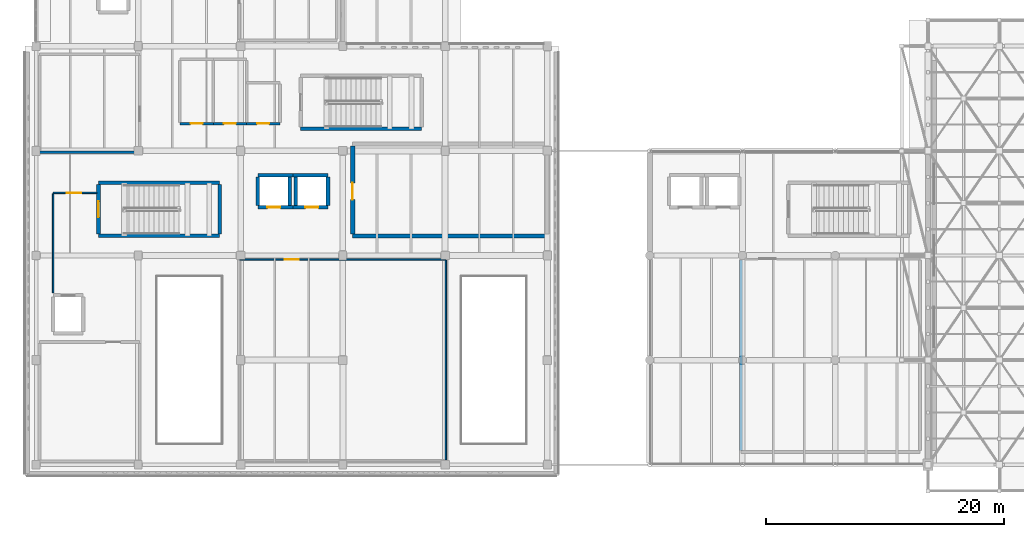
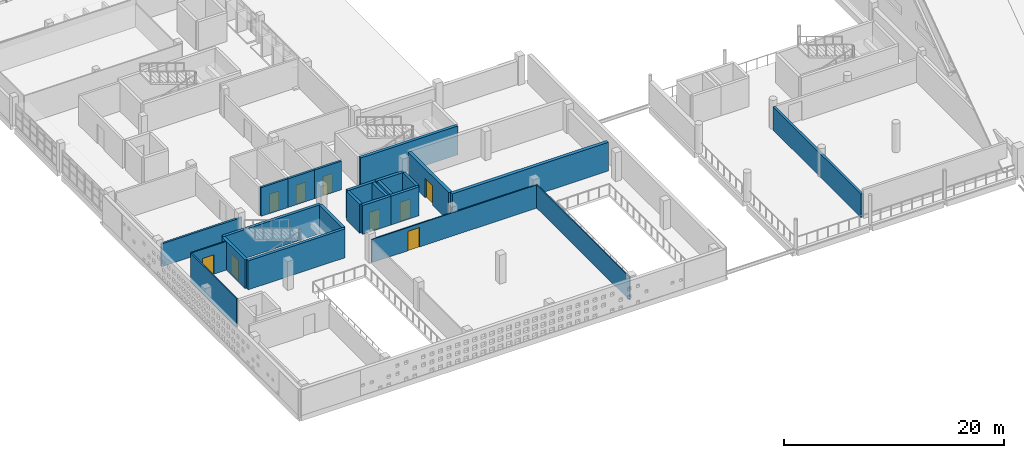
# One storey, part 41 of 55: 24 walls, 9 doors, 9 openings.
"""IFC4 building model written with IfcOpenShell, lengths in metres."""

from ifc_helpers import new_model, si_unit, direction, frame, frame_2d, origin, place, context, subcontext, project, spatial, rectangle, extrude, material, layer, layer_set, type_object, element, fill, save


model = new_model("IFC4")

# Units and contexts
model_context = context("Model", 3, precision=1e-05, world=origin(), true_north=direction((0.0, 1.0)))
body_context = subcontext(model_context, "Body", "Model", "MODEL_VIEW")
ifc_project = project(units=[si_unit("LENGTHUNIT", "METRE"), si_unit("AREAUNIT", "SQUARE_METRE"), si_unit("VOLUMEUNIT", "CUBIC_METRE"), si_unit("PLANEANGLEUNIT", "RADIAN"), si_unit("MASSUNIT", "GRAM", prefix="KILO")], contexts=[model_context])

# Site, building, storey
site_placement = place(None, origin())
site = spatial("IfcSite", under=ifc_project, at=site_placement, CompositionType="ELEMENT")
building_placement = place(site_placement, origin())
building = spatial("IfcBuilding", under=site, at=building_placement, Name="Varnakota Cinema and Media Centre", CompositionType="ELEMENT")
storey_placement = place(building_placement, frame((0.0, 0.0, 15.60009765625)))
storey = spatial("IfcBuildingStorey", under=building, at=storey_placement, Name="L04", CompositionType="ELEMENT", Elevation=15.60009765625)

# Walls
ifc_material_1 = material(Name="Autoclaved aerated concrete blockwork", Category="masonry")
ifc_layer_1 = layer(ifc_material_1, 0.2099609375)
ifc_layer_set_1 = layer_set([ifc_layer_1], Name="Autoclaved aerated concrete blockwork")
wall_type_1 = type_object("IfcWallType", Name="W-ACOUST-210", PredefinedType="PARTITIONING", material=ifc_layer_set_1)
wall_1_placement = place(storey_placement, frame((8.705078125, 26.294921875, 0.0), z_axis=(0.0, 0.0, 1.0), x_axis=(-1.0, 0.0, 0.0)))
element("IfcWall", 1, at=wall_1_placement, inside=storey, type_object=wall_type_1, Name="L04 RWALL-RM-L04-READ4 S wall", PredefinedType="PARTITIONING", context=body_context, shape_type="SweptSolid", body=[
    extrude(rectangle(XDim=8.41015625, YDim=0.2099609375, at=frame_2d((4.205078125, 0.0))), origin(), (0.0, 0.0, 1.0), 2.52978515625),
])
ifc_material_2 = material(Name="Concrete M40", Category="concrete")
ifc_layer_2 = layer(ifc_material_2, 0.300048828125)
ifc_layer_set_2 = layer_set([ifc_layer_2], Name="Concrete M40")
wall_type_2 = type_object("IfcWallType", Name="W-CORE-300", PredefinedType="SHEAR", material=ifc_layer_set_2)
wall_2_placement = place(storey_placement, frame((15.429931640625, 19.25, 0.0), z_axis=(0.0, 0.0, 1.0), x_axis=(-1.0, 0.0, 0.0)))
element("IfcWall", 2, at=wall_2_placement, inside=storey, type_object=wall_type_2, Name="L04 CWALL-ST-01-L04 S wall", PredefinedType="SHEAR", context=body_context, shape_type="SweptSolid", body=[
    extrude(rectangle(XDim=10.179931640625, YDim=0.300048828125, at=frame_2d((5.08984375, 0.0))), origin(), (0.0, 0.0, 1.0), 3.199951171875),
])

# Wall, opening, door
wall_3_placement = place(storey_placement, frame((5.25, 19.39990234375, 0.0), z_axis=(0.0, 0.0, 1.0), x_axis=(0.0, 1.0, 0.0)))
wall_3 = element("IfcWall", 3, at=wall_3_placement, inside=storey, type_object=wall_type_2, Name="L04 CWALL-ST-01-L04 W wall", PredefinedType="SHEAR", context=body_context, shape_type="SweptSolid", body=[
    extrude(rectangle(XDim=4.150146484375, YDim=0.300048828125, at=frame_2d((2.0751953125, 0.0))), origin(), (0.0, 0.0, 1.0), 3.199951171875),
])
opening_1_placement = place(wall_3_placement, frame((1.39990234375, 0.0, 0.0)))
opening_1 = element("IfcOpeningElement", 4, at=opening_1_placement, cuts=wall_3, Name="Opening SD-01", PredefinedType="OPENING", context=body_context, shape_type="SweptSolid", body=[
    extrude(rectangle(XDim=1.35009765625, YDim=2.199951171875, at=frame_2d((0.675048828125, 1.10009765625))), frame((0.0, 0.14990234375, 0.0), z_axis=(0.0, -1.0, 0.0), x_axis=(1.0, 0.0, 0.0)), (0.0, 0.0, 1.0), 0.300048828125),
])
ifc_material_3 = material(Name="Thermally broken anodised aluminium AW-6063", Category="aluminium")
door_type_1 = type_object("IfcDoorType", Name="DR-STAIR-1350x2200", OperationType="NOTDEFINED", PredefinedType="DOOR", material=ifc_material_3)
door_1_placement = place(opening_1_placement, origin())
door_1 = element("IfcDoor", 5, at=door_1_placement, inside=storey, type_object=door_type_1, Name="L04 door SD-01", OperationType="SINGLE_SWING_LEFT", OverallHeight=2.199951171875, OverallWidth=1.35009765625, PredefinedType="DOOR", context=body_context, shape_type="SweptSolid", body=[
    extrude(rectangle(XDim=1.35009765625, YDim=2.199951171875, at=frame_2d((0.675048828125, 1.10009765625))), frame((0.0, 0.02490234375, 0.0), z_axis=(0.0, -1.0, 0.0), x_axis=(1.0, 0.0, 0.0)), (0.0, 0.0, 1.0), 0.050048828125),
])
fill(opening_1, door_1)

# Walls
wall_4_placement = place(storey_placement, frame((5.25, 23.699951171875, 0.0), z_axis=(0.0, 0.0, 1.0), x_axis=(1.0, 0.0, 0.0)))
element("IfcWall", 6, at=wall_4_placement, inside=storey, type_object=wall_type_2, Name="L04 CWALL-ST-01-L04 N wall", PredefinedType="SHEAR", context=body_context, shape_type="SweptSolid", body=[
    extrude(rectangle(XDim=10.179931640625, YDim=0.300048828125, at=frame_2d((5.08984375, 0.0))), origin(), (0.0, 0.0, 1.0), 3.199951171875),
])
wall_5_placement = place(storey_placement, frame((15.429931640625, 23.550048828125, 0.0), z_axis=(0.0, 0.0, 1.0), x_axis=(0.0, -1.0, 0.0)))
element("IfcWall", 7, at=wall_5_placement, inside=storey, type_object=wall_type_2, Name="L04 CWALL-ST-01-L04 E wall", PredefinedType="SHEAR", context=body_context, shape_type="SweptSolid", body=[
    extrude(rectangle(XDim=4.150146484375, YDim=0.300048828125, at=frame_2d((2.0751953125, 0.0))), origin(), (0.0, 0.0, 1.0), 3.199951171875),
])
wall_6_placement = place(storey_placement, frame((32.429931640625, 28.25, 0.0), z_axis=(0.0, 0.0, 1.0), x_axis=(-1.0, 0.0, 0.0)))
element("IfcWall", 8, at=wall_6_placement, inside=storey, type_object=wall_type_2, Name="L04 CWALL-ST-02-L04 S wall", PredefinedType="SHEAR", context=body_context, shape_type="SweptSolid", body=[
    extrude(rectangle(XDim=10.179931640625, YDim=0.300048828125, at=frame_2d((5.08984375, 0.0))), origin(), (0.0, 0.0, 1.0), 3.199951171875),
])

# Wall, opening, door
wall_7_placement = place(storey_placement, frame((21.60009765625, 21.64990234375, 0.0), z_axis=(0.0, 0.0, 1.0), x_axis=(-1.0, 0.0, 0.0)))
wall_7 = element("IfcWall", 9, at=wall_7_placement, inside=storey, type_object=wall_type_2, Name="L04 LSHAFT-LF-03-L04 S wall", PredefinedType="SHEAR", context=body_context, shape_type="SweptSolid", body=[
    extrude(rectangle(XDim=2.9501953125, YDim=0.300048828125, at=frame_2d((1.47509765625, 0.0))), origin(), (0.0, 0.0, 1.0), 3.199951171875),
])
opening_2_placement = place(wall_7_placement, frame((1.050048828125, 0.0, 0.0)))
opening_2 = element("IfcOpeningElement", 10, at=opening_2_placement, cuts=wall_7, Name="Opening LD-03", PredefinedType="OPENING", context=body_context, shape_type="SweptSolid", body=[
    extrude(rectangle(XDim=1.10009765625, YDim=2.10009765625, at=frame_2d((0.550048828125, 1.050048828125))), frame((0.0, 0.14990234375, 0.0), z_axis=(0.0, -1.0, 0.0), x_axis=(1.0, 0.0, 0.0)), (0.0, 0.0, 1.0), 0.300048828125),
])
ifc_material_4 = material(Name="Thermally broken anodised aluminium AW-6063", Category="aluminium")
door_type_2 = type_object("IfcDoorType", Name="DR-LIFT-1100x2100", OperationType="SLIDING_TO_LEFT", PredefinedType="DOOR", material=ifc_material_4)
door_2_placement = place(opening_2_placement, origin())
door_2 = element("IfcDoor", 11, at=door_2_placement, inside=storey, type_object=door_type_2, Name="L04 door LD-03", OperationType="SLIDING_TO_LEFT", OverallHeight=2.10009765625, OverallWidth=1.10009765625, PredefinedType="DOOR", context=body_context, shape_type="SweptSolid", body=[
    extrude(rectangle(XDim=1.10009765625, YDim=2.10009765625, at=frame_2d((0.550048828125, 1.050048828125))), frame((0.0, 0.02490234375, 0.0), z_axis=(0.0, -1.0, 0.0), x_axis=(1.0, 0.0, 0.0)), (0.0, 0.0, 1.0), 0.050048828125),
])
fill(opening_2, door_2)

# Walls
wall_8_placement = place(storey_placement, frame((18.64990234375, 21.800048828125, 0.0), z_axis=(0.0, 0.0, 1.0), x_axis=(0.0, 1.0, 0.0)))
element("IfcWall", 12, at=wall_8_placement, inside=storey, type_object=wall_type_2, Name="L04 LSHAFT-LF-03-L04 W wall", PredefinedType="SHEAR", context=body_context, shape_type="SweptSolid", body=[
    extrude(rectangle(XDim=2.39990234375, YDim=0.300048828125, at=frame_2d((1.199951171875, 0.0))), origin(), (0.0, 0.0, 1.0), 3.199951171875),
])
wall_9_placement = place(storey_placement, frame((18.64990234375, 24.35009765625, 0.0), z_axis=(0.0, 0.0, 1.0), x_axis=(1.0, 0.0, 0.0)))
element("IfcWall", 13, at=wall_9_placement, inside=storey, type_object=wall_type_2, Name="L04 LSHAFT-LF-03-L04 N wall", PredefinedType="SHEAR", context=body_context, shape_type="SweptSolid", body=[
    extrude(rectangle(XDim=2.9501953125, YDim=0.300048828125, at=frame_2d((1.47509765625, 0.0))), origin(), (0.0, 0.0, 1.0), 3.199951171875),
])
wall_10_placement = place(storey_placement, frame((21.35009765625, 24.199951171875, 0.0), z_axis=(0.0, 0.0, 1.0), x_axis=(0.0, -1.0, 0.0)))
element("IfcWall", 14, at=wall_10_placement, inside=storey, type_object=wall_type_2, Name="L04 LSHAFT-LF-03-L04 E wall", PredefinedType="SHEAR", context=body_context, shape_type="SweptSolid", body=[
    extrude(rectangle(XDim=2.39990234375, YDim=0.300048828125, at=frame_2d((1.199951171875, 0.0))), origin(), (0.0, 0.0, 1.0), 3.199951171875),
])

# Wall, opening, door
wall_11_placement = place(storey_placement, frame((24.550048828125, 21.64990234375, 0.0), z_axis=(0.0, 0.0, 1.0), x_axis=(-1.0, 0.0, 0.0)))
wall_11 = element("IfcWall", 15, at=wall_11_placement, inside=storey, type_object=wall_type_2, Name="L04 LSHAFT-LF-04-L04 S wall", PredefinedType="SHEAR", context=body_context, shape_type="SweptSolid", body=[
    extrude(rectangle(XDim=2.949951171875, YDim=0.300048828125, at=frame_2d((1.47509765625, 0.0))), origin(), (0.0, 0.0, 1.0), 3.199951171875),
])
opening_3_placement = place(wall_11_placement, frame((0.800048828125, 0.0, 0.0)))
opening_3 = element("IfcOpeningElement", 16, at=opening_3_placement, cuts=wall_11, Name="Opening LD-04", PredefinedType="OPENING", context=body_context, shape_type="SweptSolid", body=[
    extrude(rectangle(XDim=1.10009765625, YDim=2.10009765625, at=frame_2d((0.550048828125, 1.050048828125))), frame((0.0, 0.14990234375, 0.0), z_axis=(0.0, -1.0, 0.0), x_axis=(1.0, 0.0, 0.0)), (0.0, 0.0, 1.0), 0.300048828125),
])
door_3_placement = place(opening_3_placement, origin())
door_3 = element("IfcDoor", 17, at=door_3_placement, inside=storey, type_object=door_type_2, Name="L04 door LD-04", OperationType="SLIDING_TO_LEFT", OverallHeight=2.10009765625, OverallWidth=1.10009765625, PredefinedType="DOOR", context=body_context, shape_type="SweptSolid", body=[
    extrude(rectangle(XDim=1.10009765625, YDim=2.10009765625, at=frame_2d((0.550048828125, 1.050048828125))), frame((0.0, 0.02490234375, 0.0), z_axis=(0.0, -1.0, 0.0), x_axis=(1.0, 0.0, 0.0)), (0.0, 0.0, 1.0), 0.050048828125),
])
fill(opening_3, door_3)

# Walls
wall_12_placement = place(storey_placement, frame((21.85009765625, 21.800048828125, 0.0), z_axis=(0.0, 0.0, 1.0), x_axis=(0.0, 1.0, 0.0)))
element("IfcWall", 18, at=wall_12_placement, inside=storey, type_object=wall_type_2, Name="L04 LSHAFT-LF-04-L04 W wall", PredefinedType="SHEAR", context=body_context, shape_type="SweptSolid", body=[
    extrude(rectangle(XDim=2.39990234375, YDim=0.300048828125, at=frame_2d((1.199951171875, 0.0))), origin(), (0.0, 0.0, 1.0), 3.199951171875),
])
wall_13_placement = place(storey_placement, frame((21.60009765625, 24.35009765625, 0.0), z_axis=(0.0, 0.0, 1.0), x_axis=(1.0, 0.0, 0.0)))
element("IfcWall", 19, at=wall_13_placement, inside=storey, type_object=wall_type_2, Name="L04 LSHAFT-LF-04-L04 N wall", PredefinedType="SHEAR", context=body_context, shape_type="SweptSolid", body=[
    extrude(rectangle(XDim=2.949951171875, YDim=0.300048828125, at=frame_2d((1.47509765625, 0.0))), origin(), (0.0, 0.0, 1.0), 3.199951171875),
])
wall_14_placement = place(storey_placement, frame((24.550048828125, 24.199951171875, 0.0), z_axis=(0.0, 0.0, 1.0), x_axis=(0.0, -1.0, 0.0)))
element("IfcWall", 20, at=wall_14_placement, inside=storey, type_object=wall_type_2, Name="L04 LSHAFT-LF-04-L04 E wall", PredefinedType="SHEAR", context=body_context, shape_type="SweptSolid", body=[
    extrude(rectangle(XDim=2.39990234375, YDim=0.300048828125, at=frame_2d((1.199951171875, 0.0))), origin(), (0.0, 0.0, 1.0), 3.199951171875),
])
ifc_material_5 = material(Name="Autoclaved aerated concrete blockwork", Category="masonry")
ifc_layer_3 = layer(ifc_material_5, 0.25)
ifc_layer_set_3 = layer_set([ifc_layer_3], Name="Autoclaved aerated concrete blockwork")
wall_type_3 = type_object("IfcWallType", Name="W-FIRE-250", PredefinedType="SOLIDWALL", material=ifc_layer_set_3)
wall_15_placement = place(storey_placement, frame((59.27490234375, 1.199951171875, 0.0), z_axis=(0.0, 0.0, 1.0), x_axis=(0.0, 1.0, 0.0)))
element("IfcWall", 21, at=wall_15_placement, inside=storey, type_object=wall_type_3, Name="L04 RWALL-RM-L04-ARCH1 W wall", PredefinedType="SOLIDWALL", context=body_context, shape_type="SweptSolid", body=[
    extrude(rectangle(XDim=16.0, YDim=0.25, at=frame_2d((8.0, 0.0))), origin(), (0.0, 0.0, 1.0), 2.579833984375),
])
ifc_material_6 = material(Name="Autoclaved aerated concrete blockwork", Category="masonry")
ifc_layer_4 = layer(ifc_material_6, 0.1298828125)
ifc_layer_set_4 = layer_set([ifc_layer_4], Name="Autoclaved aerated concrete blockwork")
wall_type_4 = type_object("IfcWallType", Name="W-PART-130", PredefinedType="PARTITIONING", material=ifc_layer_set_4)
wall_16_placement = place(storey_placement, frame((1.43505859375, 14.449951171875, 0.0), z_axis=(0.0, 0.0, 1.0), x_axis=(0.0, 1.0, 0.0)))
element("IfcWall", 22, at=wall_16_placement, inside=storey, type_object=wall_type_4, Name="L04 RWALL-RM-L04-FF-1 W wall", PredefinedType="PARTITIONING", context=body_context, shape_type="SweptSolid", body=[
    extrude(rectangle(XDim=8.35009765625, YDim=0.1298828125, at=frame_2d((4.175048828125, 0.0))), origin(), (0.0, 0.0, 1.0), 3.179931640625),
])

# Wall, opening, door
wall_17_placement = place(storey_placement, frame((1.43505859375, 22.864990234375, 0.0), z_axis=(0.0, 0.0, 1.0), x_axis=(1.0, 0.0, 0.0)))
wall_17 = element("IfcWall", 23, at=wall_17_placement, inside=storey, type_object=wall_type_4, Name="L04 RWALL-RM-L04-FF-1 N wall", PredefinedType="PARTITIONING", context=body_context, shape_type="SweptSolid", body=[
    extrude(rectangle(XDim=3.679931640625, YDim=0.1298828125, at=frame_2d((1.83984375, 0.0))), origin(), (0.0, 0.0, 1.0), 3.179931640625),
])
opening_4_placement = place(wall_17_placement, frame((1.1650390625, 0.0, 0.0)))
opening_4 = element("IfcOpeningElement", 24, at=opening_4_placement, cuts=wall_17, Name="Opening D-006", PredefinedType="OPENING", context=body_context, shape_type="SweptSolid", body=[
    extrude(rectangle(XDim=1.199951171875, YDim=2.14990234375, at=frame_2d((0.60009765625, 1.074951171875))), frame((0.0, 0.06494140625, 0.0), z_axis=(0.0, -1.0, 0.0), x_axis=(1.0, 0.0, 0.0)), (0.0, 0.0, 1.0), 0.1298828125),
])
ifc_material_7 = material(Name="Thermally broken anodised aluminium AW-6063", Category="aluminium")
door_type_3 = type_object("IfcDoorType", Name="DR-STD-1200x2150", OperationType="NOTDEFINED", PredefinedType="DOOR", material=ifc_material_7)
door_4_placement = place(opening_4_placement, origin())
door_4 = element("IfcDoor", 25, at=door_4_placement, inside=storey, type_object=door_type_3, Name="L04 door D-006", OperationType="SINGLE_SWING_RIGHT", OverallHeight=2.14990234375, OverallWidth=1.199951171875, PredefinedType="DOOR", context=body_context, shape_type="SweptSolid", body=[
    extrude(rectangle(XDim=1.199951171875, YDim=2.14990234375, at=frame_2d((0.60009765625, 1.074951171875))), frame((0.0, 0.02490234375, 0.0), z_axis=(0.0, -1.0, 0.0), x_axis=(1.0, 0.0, 0.0)), (0.0, 0.0, 1.0), 0.050048828125),
])
fill(opening_4, door_4)

wall_18_placement = place(storey_placement, frame((17.135009765625, 17.264892578125, 0.0), z_axis=(0.0, 0.0, 1.0), x_axis=(1.0, 0.0, 0.0)))
wall_18 = element("IfcWall", 26, at=wall_18_placement, inside=storey, type_object=wall_type_4, Name="L04 RWALL-RM-L04-PROJ45 N wall", PredefinedType="PARTITIONING", context=body_context, shape_type="SweptSolid", body=[
    extrude(rectangle(XDim=17.330078125, YDim=0.1298828125, at=frame_2d((8.6650390625, 0.0))), origin(), (0.0, 0.0, 1.0), 2.579833984375),
])
opening_5_placement = place(wall_18_placement, frame((3.764892578125, 0.0, 0.0)))
opening_5 = element("IfcOpeningElement", 27, at=opening_5_placement, cuts=wall_18, Name="Opening D-097", PredefinedType="OPENING", context=body_context, shape_type="SweptSolid", body=[
    extrude(rectangle(XDim=1.199951171875, YDim=2.14990234375, at=frame_2d((0.60009765625, 1.074951171875))), frame((0.0, 0.06494140625, 0.0), z_axis=(0.0, -1.0, 0.0), x_axis=(1.0, 0.0, 0.0)), (0.0, 0.0, 1.0), 0.1298828125),
])
door_5_placement = place(opening_5_placement, origin())
door_5 = element("IfcDoor", 28, at=door_5_placement, inside=storey, type_object=door_type_3, Name="L04 door D-097", OperationType="SINGLE_SWING_LEFT", OverallHeight=2.14990234375, OverallWidth=1.199951171875, PredefinedType="DOOR", context=body_context, shape_type="SweptSolid", body=[
    extrude(rectangle(XDim=1.199951171875, YDim=2.14990234375, at=frame_2d((0.60009765625, 1.074951171875))), frame((0.0, 0.02490234375, 0.0), z_axis=(0.0, -1.0, 0.0), x_axis=(1.0, 0.0, 0.0)), (0.0, 0.0, 1.0), 0.050048828125),
])
fill(opening_5, door_5)

# Wall
wall_19_placement = place(storey_placement, frame((34.465087890625, 17.199951171875, 0.0), z_axis=(0.0, 0.0, 1.0), x_axis=(0.0, -1.0, 0.0)))
element("IfcWall", 29, at=wall_19_placement, inside=storey, type_object=wall_type_4, Name="L04 RWALL-RM-L04-PROJ45 E wall", PredefinedType="PARTITIONING", context=body_context, shape_type="SweptSolid", body=[
    extrude(rectangle(XDim=16.800048828125, YDim=0.1298828125, at=frame_2d((8.39990234375, 0.0))), origin(), (0.0, 0.0, 1.0), 2.579833984375),
])

# Wall, opening, door
ifc_material_8 = material(Name="Autoclaved aerated concrete blockwork", Category="masonry")
ifc_layer_5 = layer(ifc_material_8, 0.219970703125)
ifc_layer_set_5 = layer_set([ifc_layer_5], Name="Autoclaved aerated concrete blockwork")
wall_type_5 = type_object("IfcWallType", Name="W-PLUMB-220", PredefinedType="PLUMBINGWALL", material=ifc_layer_set_5)
wall_20_placement = place(storey_placement, frame((14.909912109375, 28.68994140625, 0.0), z_axis=(0.0, 0.0, 1.0), x_axis=(-1.0, 0.0, 0.0)))
wall_20 = element("IfcWall", 30, at=wall_20_placement, inside=storey, type_object=wall_type_5, Name="L04 RWALL-RM-L04-WCM S wall", PredefinedType="PLUMBINGWALL", context=body_context, shape_type="SweptSolid", body=[
    extrude(rectangle(XDim=2.81982421875, YDim=0.219970703125, at=frame_2d((1.409912109375, 0.0))), origin(), (0.0, 0.0, 1.0), 3.179931640625),
])
opening_6_placement = place(wall_20_placement, frame((0.909912109375, 0.0, 0.0)))
opening_6 = element("IfcOpeningElement", 31, at=opening_6_placement, cuts=wall_20, Name="Opening D-029", PredefinedType="OPENING", context=body_context, shape_type="SweptSolid", body=[
    extrude(rectangle(XDim=1.0, YDim=2.10009765625, at=frame_2d((0.5, 1.050048828125))), frame((0.0, 0.10986328125, 0.0), z_axis=(0.0, -1.0, 0.0), x_axis=(1.0, 0.0, 0.0)), (0.0, 0.0, 1.0), 0.219970703125),
])
ifc_material_9 = material(Name="Thermally broken anodised aluminium AW-6063", Category="aluminium")
door_type_4 = type_object("IfcDoorType", Name="DR-STD-1000x2100", OperationType="NOTDEFINED", PredefinedType="DOOR", material=ifc_material_9)
door_6_placement = place(opening_6_placement, origin())
door_6 = element("IfcDoor", 32, at=door_6_placement, inside=storey, type_object=door_type_4, Name="L04 door D-029", OperationType="SINGLE_SWING_LEFT", OverallHeight=2.10009765625, OverallWidth=1.0, PredefinedType="DOOR", context=body_context, shape_type="SweptSolid", body=[
    extrude(rectangle(XDim=1.0, YDim=2.10009765625, at=frame_2d((0.5, 1.050048828125))), frame((0.0, 0.02490234375, 0.0), z_axis=(0.0, -1.0, 0.0), x_axis=(1.0, 0.0, 0.0)), (0.0, 0.0, 1.0), 0.050048828125),
])
fill(opening_6, door_6)

wall_21_placement = place(storey_placement, frame((17.7099609375, 28.68994140625, 0.0), z_axis=(0.0, 0.0, 1.0), x_axis=(-1.0, 0.0, 0.0)))
wall_21 = element("IfcWall", 33, at=wall_21_placement, inside=storey, type_object=wall_type_5, Name="L04 RWALL-RM-L04-WCF S wall", PredefinedType="PLUMBINGWALL", context=body_context, shape_type="SweptSolid", body=[
    extrude(rectangle(XDim=2.820068359375, YDim=0.219970703125, at=frame_2d((1.41015625, 0.0))), origin(), (0.0, 0.0, 1.0), 3.179931640625),
])
opening_7_placement = place(wall_21_placement, frame((0.909912109375, 0.0, 0.0)))
opening_7 = element("IfcOpeningElement", 34, at=opening_7_placement, cuts=wall_21, Name="Opening D-030", PredefinedType="OPENING", context=body_context, shape_type="SweptSolid", body=[
    extrude(rectangle(XDim=1.0, YDim=2.10009765625, at=frame_2d((0.5, 1.050048828125))), frame((0.0, 0.10986328125, 0.0), z_axis=(0.0, -1.0, 0.0), x_axis=(1.0, 0.0, 0.0)), (0.0, 0.0, 1.0), 0.219970703125),
])
door_7_placement = place(opening_7_placement, origin())
door_7 = element("IfcDoor", 35, at=door_7_placement, inside=storey, type_object=door_type_4, Name="L04 door D-030", OperationType="SINGLE_SWING_RIGHT", OverallHeight=2.10009765625, OverallWidth=1.0, PredefinedType="DOOR", context=body_context, shape_type="SweptSolid", body=[
    extrude(rectangle(XDim=1.0, YDim=2.10009765625, at=frame_2d((0.5, 1.050048828125))), frame((0.0, 0.02490234375, 0.0), z_axis=(0.0, -1.0, 0.0), x_axis=(1.0, 0.0, 0.0)), (0.0, 0.0, 1.0), 0.050048828125),
])
fill(opening_7, door_7)

wall_22_placement = place(storey_placement, frame((20.510009765625, 28.68994140625, 0.0), z_axis=(0.0, 0.0, 1.0), x_axis=(-1.0, 0.0, 0.0)))
wall_22 = element("IfcWall", 36, at=wall_22_placement, inside=storey, type_object=wall_type_5, Name="L04 RWALL-RM-L04-WCA S wall", PredefinedType="PLUMBINGWALL", context=body_context, shape_type="SweptSolid", body=[
    extrude(rectangle(XDim=2.820068359375, YDim=0.219970703125, at=frame_2d((1.41015625, 0.0))), origin(), (0.0, 0.0, 1.0), 3.179931640625),
])
opening_8_placement = place(wall_22_placement, frame((0.909912109375, 0.0, 0.0)))
opening_8 = element("IfcOpeningElement", 37, at=opening_8_placement, cuts=wall_22, Name="Opening D-031", PredefinedType="OPENING", context=body_context, shape_type="SweptSolid", body=[
    extrude(rectangle(XDim=1.0, YDim=2.10009765625, at=frame_2d((0.5, 1.050048828125))), frame((0.0, 0.10986328125, 0.0), z_axis=(0.0, -1.0, 0.0), x_axis=(1.0, 0.0, 0.0)), (0.0, 0.0, 1.0), 0.219970703125),
])
door_8_placement = place(opening_8_placement, origin())
door_8 = element("IfcDoor", 38, at=door_8_placement, inside=storey, type_object=door_type_4, Name="L04 door D-031", OperationType="SINGLE_SWING_LEFT", OverallHeight=2.10009765625, OverallWidth=1.0, PredefinedType="DOOR", context=body_context, shape_type="SweptSolid", body=[
    extrude(rectangle(XDim=1.0, YDim=2.10009765625, at=frame_2d((0.5, 1.050048828125))), frame((0.0, 0.02490234375, 0.0), z_axis=(0.0, -1.0, 0.0), x_axis=(1.0, 0.0, 0.0)), (0.0, 0.0, 1.0), 0.050048828125),
])
fill(opening_8, door_8)

# Wall
ifc_material_10 = material(Name="Concrete M40", Category="concrete")
ifc_layer_6 = layer(ifc_material_10, 0.35009765625)
ifc_layer_set_6 = layer_set([ifc_layer_6], Name="Concrete M40")
wall_type_6 = type_object("IfcWallType", Name="W-SEP-350", PredefinedType="SOLIDWALL", material=ifc_layer_set_6)
wall_23_placement = place(storey_placement, frame((42.97509765625, 19.22509765625, 0.0), z_axis=(0.0, 0.0, 1.0), x_axis=(-1.0, 0.0, 0.0)))
element("IfcWall", 39, at=wall_23_placement, inside=storey, type_object=wall_type_6, Name="L04 RWALL-RM-L04-POSTER S wall", PredefinedType="SOLIDWALL", context=body_context, shape_type="SweptSolid", body=[
    extrude(rectangle(XDim=16.35009765625, YDim=0.35009765625, at=frame_2d((8.175048828125, 0.0))), origin(), (0.0, 0.0, 1.0), 3.179931640625),
])

# Wall, opening, door
wall_24_placement = place(storey_placement, frame((26.625, 19.39990234375, 0.0), z_axis=(0.0, 0.0, 1.0), x_axis=(0.0, 1.0, 0.0)))
wall_24 = element("IfcWall", 40, at=wall_24_placement, inside=storey, type_object=wall_type_6, Name="L04 RWALL-RM-L04-POSTER W wall", PredefinedType="SOLIDWALL", context=body_context, shape_type="SweptSolid", body=[
    extrude(rectangle(XDim=7.400146484375, YDim=0.35009765625, at=frame_2d((3.7001953125, 0.0))), origin(), (0.0, 0.0, 1.0), 3.179931640625),
])
opening_9_placement = place(wall_24_placement, frame((2.89990234375, 0.0, 0.0)))
opening_9 = element("IfcOpeningElement", 41, at=opening_9_placement, cuts=wall_24, Name="Opening D-098", PredefinedType="OPENING", context=body_context, shape_type="SweptSolid", body=[
    extrude(rectangle(XDim=1.39990234375, YDim=2.14990234375, at=frame_2d((0.699951171875, 1.074951171875))), frame((0.0, 0.175048828125, 0.0), z_axis=(0.0, -1.0, 0.0), x_axis=(1.0, 0.0, 0.0)), (0.0, 0.0, 1.0), 0.35009765625),
])
ifc_material_11 = material(Name="Thermally broken anodised aluminium AW-6063", Category="aluminium")
door_type_5 = type_object("IfcDoorType", Name="DR-STD-1400x2150", OperationType="DOUBLE_DOOR_SINGLE_SWING", PredefinedType="DOOR", material=ifc_material_11)
door_9_placement = place(opening_9_placement, origin())
door_9 = element("IfcDoor", 42, at=door_9_placement, inside=storey, type_object=door_type_5, Name="L04 door D-098", OperationType="DOUBLE_DOOR_SINGLE_SWING", OverallHeight=2.14990234375, OverallWidth=1.39990234375, PredefinedType="DOOR", context=body_context, shape_type="SweptSolid", body=[
    extrude(rectangle(XDim=1.39990234375, YDim=2.14990234375, at=frame_2d((0.699951171875, 1.074951171875))), frame((0.0, 0.02490234375, 0.0), z_axis=(0.0, -1.0, 0.0), x_axis=(1.0, 0.0, 0.0)), (0.0, 0.0, 1.0), 0.050048828125),
])
fill(opening_9, door_9)

save(model, "model.ifc")
